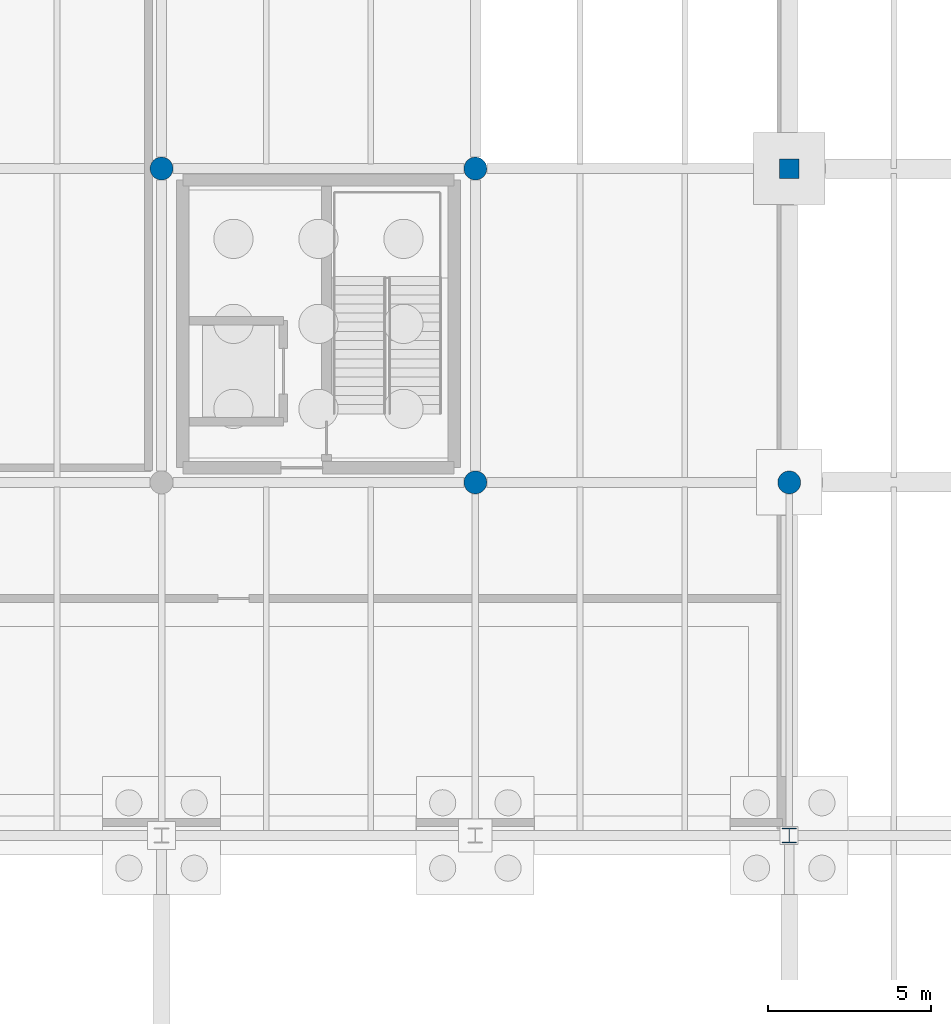
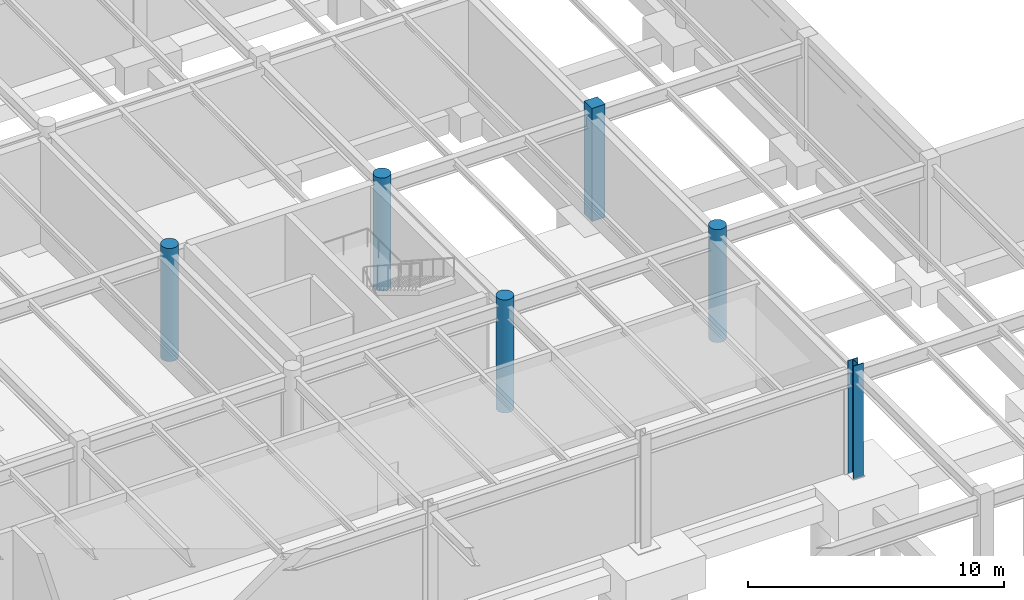
# One storey, part 23 of 50: 6 columns.
"""IFC4 building model written with IfcOpenShell, lengths in metres."""

from ifc_helpers import new_model, si_unit, direction, frame, origin, origin_2d, place, context, subcontext, project, spatial, rectangle, circle, i_section, extrude, material, material_profile, profile_set, type_object, element, save


model = new_model("IFC4")

# Units and contexts
model_context = context("Model", 3, precision=1e-05, world=origin(), true_north=direction((0.0, 1.0)))
body_context = subcontext(model_context, "Body", "Model", "MODEL_VIEW")
ifc_project = project(units=[si_unit("LENGTHUNIT", "METRE"), si_unit("AREAUNIT", "SQUARE_METRE"), si_unit("VOLUMEUNIT", "CUBIC_METRE"), si_unit("PLANEANGLEUNIT", "RADIAN"), si_unit("MASSUNIT", "GRAM", prefix="KILO")], contexts=[model_context])

# Site, building, storey
site_placement = place(None, origin())
site = spatial("IfcSite", under=ifc_project, at=site_placement, CompositionType="ELEMENT")
building_placement = place(site_placement, origin())
building = spatial("IfcBuilding", under=site, at=building_placement, Name="Yeouljin Market Hall", CompositionType="ELEMENT")
storey_placement = place(building_placement, frame((0.0, 0.0, -5.39990234375)))
storey = spatial("IfcBuildingStorey", under=building, at=storey_placement, Name="B1", CompositionType="ELEMENT", Elevation=-5.39990234375)

# Columns
ifc_material_1 = material(Name="Steel SM355", Category="steel")
ifc_material_profile_1 = material_profile(ifc_material_1, i_section(OverallWidth=0.449951171875, OverallDepth=0.449951171875, WebThickness=0.013916015625, FlangeThickness=0.02392578125, FilletRadius=0.02392578125, at=origin_2d()), Name="H-450x450x14x24")
ifc_profile_set_1 = profile_set([ifc_material_profile_1], Name="Steel SM355")
column_type_1 = type_object("IfcColumnType", Name="Col_H-450x450x14x24", PredefinedType="COLUMN", material=ifc_profile_set_1)
column_1_placement = place(storey_placement, frame((121.800048828125, 78.0, 0.0), z_axis=(0.0, 0.0, 1.0), x_axis=(1.0, 0.0, 0.0)))
element("IfcColumn", 1, at=column_1_placement, inside=storey, type_object=column_type_1, Name="Column G-14-08 (B1)", PredefinedType="COLUMN", context=body_context, shape_type="SweptSolid", body=[
    extrude(i_section(OverallWidth=0.449951171875, OverallDepth=0.449951171875, WebThickness=0.013916015625, FlangeThickness=0.02392578125, FilletRadius=0.02392578125, at=origin_2d()), origin(), (0.0, 0.0, 1.0), 5.39990234375),
])
ifc_material_2 = material(Name="Concrete C35/45", Category="concrete")
ifc_material_profile_2 = material_profile(ifc_material_2, rectangle(XDim=0.60009765625, YDim=0.60009765625, at=origin_2d()), Name="RC-600x600")
ifc_profile_set_2 = profile_set([ifc_material_profile_2], Name="Concrete C35/45")
column_type_2 = type_object("IfcColumnType", Name="Col_RC-600x600", PredefinedType="COLUMN", material=ifc_profile_set_2)
column_2_placement = place(storey_placement, frame((121.800048828125, 98.39990234375, 0.0), z_axis=(0.0, 0.0, 1.0), x_axis=(1.0, 0.0, 0.0)))
element("IfcColumn", 2, at=column_2_placement, inside=storey, type_object=column_type_2, Name="Column G-14-10 (B1)", PredefinedType="COLUMN", context=body_context, shape_type="SweptSolid", body=[
    extrude(rectangle(XDim=0.60009765625, YDim=0.60009765625, at=origin_2d()), origin(), (0.0, 0.0, 1.0), 5.39990234375),
])
ifc_material_3 = material(Name="Concrete C35/45", Category="concrete")
ifc_material_profile_3 = material_profile(ifc_material_3, circle(Radius=0.35009765625, at=origin_2d()), Name="RC-D700")
ifc_profile_set_3 = profile_set([ifc_material_profile_3], Name="Concrete C35/45")
column_type_3 = type_object("IfcColumnType", Name="Col_RC-D700", PredefinedType="COLUMN", material=ifc_profile_set_3)
for number, where, z_axis, x_axis, name in (
    (3, (102.60009765625, 98.39990234375, 0.0), (0.0, 0.0, 1.0), (1.0, 0.0, 0.0), "Column G-12-10 (B1)"),
    (4, (112.199951171875, 88.800048828125, 0.0), (0.0, 0.0, 1.0), (1.0, 0.0, 0.0), "Column G-13-09 (B1)"),
    (5, (112.199951171875, 98.39990234375, 0.0), (0.0, 0.0, 1.0), (1.0, 0.0, 0.0), "Column G-13-10 (B1)"),
    (6, (121.800048828125, 88.800048828125, 0.0), (0.0, 0.0, 1.0), (1.0, 0.0, 0.0), "Column G-14-09 (B1)"),
):
    element("IfcColumn", number, at=place(storey_placement, frame(where, z_axis=z_axis, x_axis=x_axis)), inside=storey, type_object=column_type_3, Name=name, PredefinedType="COLUMN", context=body_context, shape_type="SweptSolid", body=[
        extrude(circle(Radius=0.35009765625, at=origin_2d()), origin(), (0.0, 0.0, 1.0), 5.39990234375),
    ])

save(model, "model.ifc")
